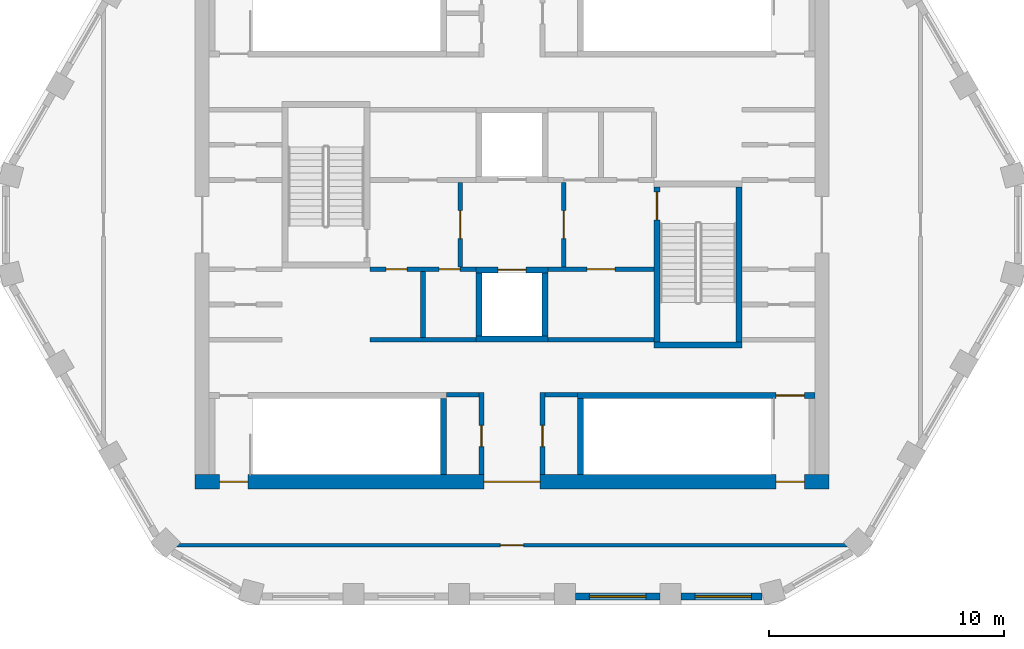
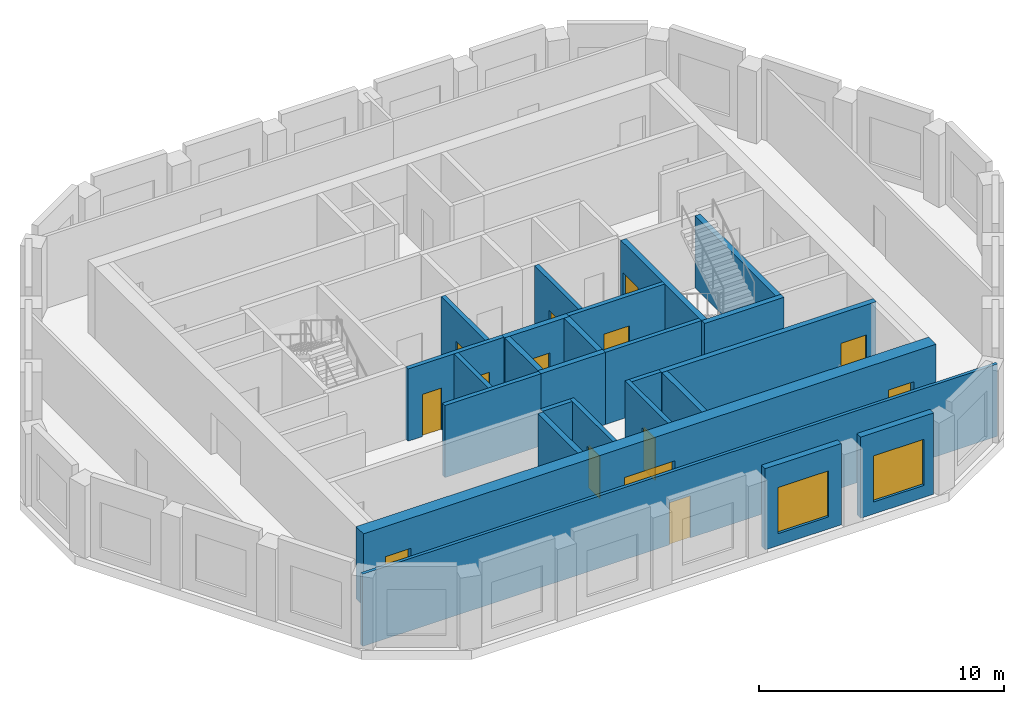
# One storey, part 2 of 6: 25 walls, 14 doors, 2 windows, 16 openings.
"""IFC4 building model written with IfcOpenShell, lengths in metres."""

from ifc_helpers import new_model, si_unit, direction, frame, frame_2d, origin, place, context, subcontext, project, spatial, polyline, rectangle, outline, extrude, material, layer, layer_set, type_object, element, fill, save


model = new_model("IFC4")

# Units and contexts
model_context = context("Model", 3, precision=1e-05, world=origin(), true_north=direction((0.0, 1.0)))
body_context = subcontext(model_context, "Body", "Model", "MODEL_VIEW")
ifc_project = project(units=[si_unit("LENGTHUNIT", "METRE"), si_unit("AREAUNIT", "SQUARE_METRE"), si_unit("VOLUMEUNIT", "CUBIC_METRE"), si_unit("PLANEANGLEUNIT", "RADIAN"), si_unit("MASSUNIT", "GRAM", prefix="KILO")], contexts=[model_context])

# Site, building, storey
site_placement = place(None, origin())
site = spatial("IfcSite", under=ifc_project, at=site_placement, CompositionType="ELEMENT")
building_placement = place(site_placement, origin())
building = spatial("IfcBuilding", under=site, at=building_placement, Name="Dhurran Vertical Campus", CompositionType="ELEMENT")
storey_placement = place(building_placement, frame((0.0, 0.0, 318.89990234375)))
storey = spatial("IfcBuildingStorey", under=building, at=storey_placement, Name="L78 Plant", CompositionType="ELEMENT", Elevation=318.89990234375)

# Wall, opening, window
ifc_material_1 = material(Name="Precast concrete C50/60", Category="concrete")
ifc_layer_1 = layer(ifc_material_1, 0.300048828125)
ifc_layer_set_1 = layer_set([ifc_layer_1], Name="Precast concrete C50/60")
wall_type_1 = type_object("IfcWallType", Name="Precast louvre-bay wall 300", PredefinedType="SOLIDWALL", material=ifc_layer_set_1)
wall_1_placement = place(storey_placement, frame((2.700439453125, -15.84130859375, 0.0), z_axis=(0.0, 0.0, 1.0), x_axis=(1.0, 0.0, 0.0)))
wall_1 = element("IfcWall", 1, at=wall_1_placement, inside=storey, type_object=wall_type_1, Name="EW3 L78.03", PredefinedType="SOLIDWALL", context=body_context, shape_type="SweptSolid", body=[
    extrude(rectangle(XDim=3.59912109375, YDim=0.300048828125, at=frame_2d((1.799560546875, 0.0))), origin(), (0.0, 0.0, 1.0), 4.050048828125),
])
opening_1_placement = place(wall_1_placement, frame((0.599609375, 0.0, 0.60009765625)))
opening_1 = element("IfcOpeningElement", 2, at=opening_1_placement, cuts=wall_1, Name="Opening WT4", PredefinedType="OPENING", context=body_context, shape_type="SweptSolid", body=[
    extrude(rectangle(XDim=2.39990234375, YDim=2.300048828125, at=frame_2d((1.199951171875, 1.14990234375))), frame((0.0, 0.159912109375, 0.0), z_axis=(0.0, -1.0, 0.0), x_axis=(1.0, 0.0, 0.0)), (0.0, 0.0, 1.0), 0.320068359375),
])
ifc_material_2 = material(Name="Aluminium louvre", Category="aluminium")
window_type = type_object("IfcWindowType", Name="Louvred plant vent 2400 x 2300", PartitioningType="SINGLE_PANEL", PredefinedType="WINDOW", material=ifc_material_2)
window_1_placement = place(opening_1_placement, origin())
window_1 = element("IfcWindow", 3, at=window_1_placement, inside=storey, type_object=window_type, Name="WT4 L78.03", OverallHeight=2.300048828125, OverallWidth=2.39990234375, PartitioningType="SINGLE_PANEL", PredefinedType="WINDOW", context=body_context, shape_type="SweptSolid", body=[
    extrude(rectangle(XDim=2.39990234375, YDim=2.300048828125, at=frame_2d((1.199951171875, 1.14990234375))), frame((0.0, 0.030029296875, 0.0), z_axis=(0.0, -1.0, 0.0), x_axis=(1.0, 0.0, 0.0)), (0.0, 0.0, 1.0), 0.06005859375),
])
fill(opening_1, window_1)

wall_2_placement = place(storey_placement, frame((7.200439453125, -15.84130859375, 0.0), z_axis=(0.0, 0.0, 1.0), x_axis=(1.0, 0.0, 0.0)))
wall_2 = element("IfcWall", 4, at=wall_2_placement, inside=storey, type_object=wall_type_1, Name="EW3 L78.04", PredefinedType="SOLIDWALL", context=body_context, shape_type="SweptSolid", body=[
    extrude(rectangle(XDim=3.449462890625, YDim=0.300048828125, at=frame_2d((1.724609375, 0.0))), origin(), (0.0, 0.0, 1.0), 4.050048828125),
])
opening_2_placement = place(wall_2_placement, frame((0.599609375, 0.0, 0.60009765625)))
opening_2 = element("IfcOpeningElement", 5, at=opening_2_placement, cuts=wall_2, Name="Opening WT4", PredefinedType="OPENING", context=body_context, shape_type="SweptSolid", body=[
    extrude(rectangle(XDim=2.39990234375, YDim=2.300048828125, at=frame_2d((1.199951171875, 1.14990234375))), frame((0.0, 0.159912109375, 0.0), z_axis=(0.0, -1.0, 0.0), x_axis=(1.0, 0.0, 0.0)), (0.0, 0.0, 1.0), 0.320068359375),
])
window_2_placement = place(opening_2_placement, origin())
window_2 = element("IfcWindow", 6, at=window_2_placement, inside=storey, type_object=window_type, Name="WT4 L78.04", OverallHeight=2.300048828125, OverallWidth=2.39990234375, PartitioningType="SINGLE_PANEL", PredefinedType="WINDOW", context=body_context, shape_type="SweptSolid", body=[
    extrude(rectangle(XDim=2.39990234375, YDim=2.300048828125, at=frame_2d((1.199951171875, 1.14990234375))), frame((0.0, 0.030029296875, 0.0), z_axis=(0.0, -1.0, 0.0), x_axis=(1.0, 0.0, 0.0)), (0.0, 0.0, 1.0), 0.06005859375),
])
fill(opening_2, window_2)

# Wall, openings, doors
ifc_material_3 = material(Name="Concrete C50/60", Category="concrete")
ifc_layer_2 = layer(ifc_material_3, 0.60009765625)
ifc_layer_set_2 = layer_set([ifc_layer_2], Name="Concrete C50/60")
wall_type_2 = type_object("IfcWallType", Name="co-CORE-WALL-C2-600", PredefinedType="SHEAR", material=ifc_layer_set_2)
wall_3_placement = place(storey_placement, frame((-13.5, -10.949951171875, 0.0), z_axis=(0.0, 0.0, 1.0), x_axis=(1.0, 0.0, 0.0)))
wall_3 = element("IfcWall", 7, at=wall_3_placement, inside=storey, type_object=wall_type_2, Name="Core wall S L78", PredefinedType="SHEAR", context=body_context, shape_type="SweptSolid", body=[
    extrude(rectangle(XDim=27.0, YDim=0.60009765625, at=frame_2d((13.5, 0.0))), origin(), (0.0, 0.0, 1.0), 3.60009765625),
])
opening_3_placement = place(wall_3_placement, frame((12.300048828125, 0.0, 0.0)))
opening_3 = element("IfcOpeningElement", 8, at=opening_3_placement, cuts=wall_3, Name="Opening CV2", PredefinedType="OPENING", context=body_context, shape_type="SweptSolid", body=[
    extrude(rectangle(XDim=2.39990234375, YDim=2.10009765625, at=frame_2d((1.199951171875, 1.050048828125))), frame((0.0, 0.31005859375, 0.0), z_axis=(0.0, -1.0, 0.0), x_axis=(1.0, 0.0, 0.0)), (0.0, 0.0, 1.0), 0.6201171875),
])
opening_4_placement = place(wall_3_placement, frame((1.050048828125, 0.0, 0.0)))
opening_4 = element("IfcOpeningElement", 9, at=opening_4_placement, cuts=wall_3, Name="Opening XD3", PredefinedType="OPENING", context=body_context, shape_type="SweptSolid", body=[
    extrude(rectangle(XDim=1.199951171875, YDim=2.10009765625, at=frame_2d((0.60009765625, 1.050048828125))), frame((0.0, 0.31005859375, 0.0), z_axis=(0.0, -1.0, 0.0), x_axis=(1.0, 0.0, 0.0)), (0.0, 0.0, 1.0), 0.6201171875),
])
opening_5_placement = place(wall_3_placement, frame((24.75, 0.0, 0.0)))
opening_5 = element("IfcOpeningElement", 10, at=opening_5_placement, cuts=wall_3, Name="Opening XD4", PredefinedType="OPENING", context=body_context, shape_type="SweptSolid", body=[
    extrude(rectangle(XDim=1.199951171875, YDim=2.10009765625, at=frame_2d((0.60009765625, 1.050048828125))), frame((0.0, 0.31005859375, 0.0), z_axis=(0.0, -1.0, 0.0), x_axis=(1.0, 0.0, 0.0)), (0.0, 0.0, 1.0), 0.6201171875),
])
ifc_material_4 = material(Name="Fire-rated glazed door set")
door_type_1 = type_object("IfcDoorType", Name="co-D-LOBBY 2400x2100", OperationType="DOUBLE_DOOR_DOUBLE_SWING", PredefinedType="DOOR", material=ifc_material_4)
door_1_placement = place(opening_3_placement, origin())
door_1 = element("IfcDoor", 11, at=door_1_placement, inside=storey, type_object=door_type_1, Name="Core vestibule door S L78", OperationType="DOUBLE_DOOR_DOUBLE_SWING", OverallHeight=2.10009765625, OverallWidth=2.39990234375, PredefinedType="DOOR", context=body_context, shape_type="SweptSolid", body=[
    extrude(rectangle(XDim=2.39990234375, YDim=2.10009765625, at=frame_2d((1.199951171875, 1.050048828125))), frame((0.0, 0.02490234375, 0.0), z_axis=(0.0, -1.0, 0.0), x_axis=(1.0, 0.0, 0.0)), (0.0, 0.0, 1.0), 0.050048828125),
])
fill(opening_3, door_1)
ifc_material_5 = material(Name="Fire-rated steel door set", Category="steel")
door_type_2 = type_object("IfcDoorType", Name="co-D-STAIR-EXIT 1200x2100", OperationType="SINGLE_SWING_RIGHT", PredefinedType="DOOR", material=ifc_material_5)
door_2_placement = place(opening_4_placement, origin())
door_2 = element("IfcDoor", 12, at=door_2_placement, inside=storey, type_object=door_type_2, Name="Stair ST3 exit door L78", OperationType="SINGLE_SWING_RIGHT", OverallHeight=2.10009765625, OverallWidth=1.199951171875, PredefinedType="DOOR", context=body_context, shape_type="SweptSolid", body=[
    extrude(rectangle(XDim=1.199951171875, YDim=2.10009765625, at=frame_2d((0.60009765625, 1.050048828125))), frame((0.0, 0.02490234375, 0.0), z_axis=(0.0, -1.0, 0.0), x_axis=(1.0, 0.0, 0.0)), (0.0, 0.0, 1.0), 0.050048828125),
])
fill(opening_4, door_2)
door_3_placement = place(opening_5_placement, origin())
door_3 = element("IfcDoor", 13, at=door_3_placement, inside=storey, type_object=door_type_2, Name="Stair ST4 exit door L78", OperationType="SINGLE_SWING_RIGHT", OverallHeight=2.10009765625, OverallWidth=1.199951171875, PredefinedType="DOOR", context=body_context, shape_type="SweptSolid", body=[
    extrude(rectangle(XDim=1.199951171875, YDim=2.10009765625, at=frame_2d((0.60009765625, 1.050048828125))), frame((0.0, 0.02490234375, 0.0), z_axis=(0.0, -1.0, 0.0), x_axis=(1.0, 0.0, 0.0)), (0.0, 0.0, 1.0), 0.050048828125),
])
fill(opening_5, door_3)

# Wall, opening, door
ifc_material_6 = material(Name="Fire-rated masonry blockwork", Category="masonry")
ifc_layer_3 = layer(ifc_material_6, 0.199951171875)
ifc_layer_set_3 = layer_set([ifc_layer_3], Name="Fire-rated masonry blockwork")
wall_type_3 = type_object("IfcWallType", Name="co-FIRE-PARTITION-200", PredefinedType="PARTITIONING", material=ifc_layer_set_3)
wall_4_placement = place(storey_placement, frame((-2.199951171875, -1.800048828125, 0.0), z_axis=(0.0, 0.0, 1.0), x_axis=(0.0, 1.0, 0.0)))
wall_4 = element("IfcWall", 14, at=wall_4_placement, inside=storey, type_object=wall_type_3, Name="Firefighting lobby wall W L78", PredefinedType="PARTITIONING", context=body_context, shape_type="SweptSolid", body=[
    extrude(rectangle(XDim=3.60009765625, YDim=0.199951171875, at=frame_2d((1.800048828125, 0.0))), origin(), (0.0, 0.0, 1.0), 3.60009765625),
])
opening_6_placement = place(wall_4_placement, frame((1.199951171875, 0.0, 0.0)))
opening_6 = element("IfcOpeningElement", 15, at=opening_6_placement, cuts=wall_4, Name="Opening FL1", PredefinedType="OPENING", context=body_context, shape_type="SweptSolid", body=[
    extrude(rectangle(XDim=1.199951171875, YDim=2.10009765625, at=frame_2d((0.60009765625, 1.050048828125))), frame((0.0, 0.10986328125, 0.0), z_axis=(0.0, -1.0, 0.0), x_axis=(1.0, 0.0, 0.0)), (0.0, 0.0, 1.0), 0.219970703125),
])
ifc_material_7 = material(Name="Fire-rated steel door set", Category="steel")
door_type_3 = type_object("IfcDoorType", Name="co-D-FFLOBBY 1200x2100", OperationType="SINGLE_SWING_LEFT", PredefinedType="DOOR", material=ifc_material_7)
door_4_placement = place(opening_6_placement, origin())
door_4 = element("IfcDoor", 16, at=door_4_placement, inside=storey, type_object=door_type_3, Name="Firefighting lobby door W L78", OperationType="SINGLE_SWING_LEFT", OverallHeight=2.10009765625, OverallWidth=1.199951171875, PredefinedType="DOOR", context=body_context, shape_type="SweptSolid", body=[
    extrude(rectangle(XDim=1.199951171875, YDim=2.10009765625, at=frame_2d((0.60009765625, 1.050048828125))), frame((0.0, 0.02490234375, 0.0), z_axis=(0.0, -1.0, 0.0), x_axis=(1.0, 0.0, 0.0)), (0.0, 0.0, 1.0), 0.050048828125),
])
fill(opening_6, door_4)

wall_5_placement = place(storey_placement, frame((2.199951171875, -1.800048828125, 0.0), z_axis=(0.0, 0.0, 1.0), x_axis=(0.0, 1.0, 0.0)))
wall_5 = element("IfcWall", 17, at=wall_5_placement, inside=storey, type_object=wall_type_3, Name="Firefighting lobby wall E L78", PredefinedType="PARTITIONING", context=body_context, shape_type="SweptSolid", body=[
    extrude(rectangle(XDim=3.60009765625, YDim=0.199951171875, at=frame_2d((1.800048828125, 0.0))), origin(), (0.0, 0.0, 1.0), 3.60009765625),
])
opening_7_placement = place(wall_5_placement, frame((1.199951171875, 0.0, 0.0)))
opening_7 = element("IfcOpeningElement", 18, at=opening_7_placement, cuts=wall_5, Name="Opening FL2", PredefinedType="OPENING", context=body_context, shape_type="SweptSolid", body=[
    extrude(rectangle(XDim=1.199951171875, YDim=2.10009765625, at=frame_2d((0.60009765625, 1.050048828125))), frame((0.0, 0.10986328125, 0.0), z_axis=(0.0, -1.0, 0.0), x_axis=(1.0, 0.0, 0.0)), (0.0, 0.0, 1.0), 0.219970703125),
])
door_5_placement = place(opening_7_placement, origin())
door_5 = element("IfcDoor", 19, at=door_5_placement, inside=storey, type_object=door_type_3, Name="Firefighting lobby door E L78", OperationType="SINGLE_SWING_LEFT", OverallHeight=2.10009765625, OverallWidth=1.199951171875, PredefinedType="DOOR", context=body_context, shape_type="SweptSolid", body=[
    extrude(rectangle(XDim=1.199951171875, YDim=2.10009765625, at=frame_2d((0.60009765625, 1.050048828125))), frame((0.0, 0.02490234375, 0.0), z_axis=(0.0, -1.0, 0.0), x_axis=(1.0, 0.0, 0.0)), (0.0, 0.0, 1.0), 0.050048828125),
])
fill(opening_7, door_5)

# Walls
for number, where, z_axis, x_axis, name in (
    (20, (-2.800048828125, -7.25, 0.0), (0.0, 0.0, 1.0), (1.0, 0.0, 0.0), "Core partition sl-SW-S L78"),
    (21, (1.39990234375, -7.25, 0.0), (0.0, 0.0, 1.0), (1.0, 0.0, 0.0), "Core partition sl-SE-S L78"),
):
    element("IfcWall", number, at=place(storey_placement, frame(where, z_axis=z_axis, x_axis=x_axis)), inside=storey, type_object=wall_type_3, Name=name, PredefinedType="PARTITIONING", context=body_context, shape_type="SweptSolid", body=[
        extrude(rectangle(XDim=1.400146484375, YDim=0.199951171875, at=frame_2d((0.7001953125, 0.0))), origin(), (0.0, 0.0, 1.0), 3.60009765625),
    ])

# Wall, opening, door
wall_6_placement = place(storey_placement, frame((-1.300048828125, -10.64990234375, 0.0), z_axis=(0.0, 0.0, 1.0), x_axis=(0.0, 1.0, 0.0)))
wall_6 = element("IfcWall", 22, at=wall_6_placement, inside=storey, type_object=wall_type_3, Name="Core partition vest-SW L78", PredefinedType="PARTITIONING", context=body_context, shape_type="SweptSolid", body=[
    extrude(rectangle(XDim=3.5, YDim=0.199951171875, at=frame_2d((1.75, 0.0))), origin(), (0.0, 0.0, 1.0), 3.60009765625),
])
opening_8_placement = place(wall_6_placement, frame((1.199951171875, 0.0, 0.0)))
opening_8 = element("IfcOpeningElement", 23, at=opening_8_placement, cuts=wall_6, Name="Opening CR78-C1", PredefinedType="OPENING", context=body_context, shape_type="SweptSolid", body=[
    extrude(rectangle(XDim=0.89990234375, YDim=2.10009765625, at=frame_2d((0.449951171875, 1.050048828125))), frame((0.0, 0.10986328125, 0.0), z_axis=(0.0, -1.0, 0.0), x_axis=(1.0, 0.0, 0.0)), (0.0, 0.0, 1.0), 0.219970703125),
])
ifc_material_8 = material(Name="Fire-rated timber door set", Category="wood")
door_type_4 = type_object("IfcDoorType", Name="co-D-ROOM 900x2100", OperationType="SINGLE_SWING_LEFT", PredefinedType="DOOR", material=ifc_material_8)
door_6_placement = place(opening_8_placement, origin())
door_6 = element("IfcDoor", 24, at=door_6_placement, inside=storey, type_object=door_type_4, Name="Pantry door L78", OperationType="SINGLE_SWING_LEFT", OverallHeight=2.10009765625, OverallWidth=0.89990234375, PredefinedType="DOOR", context=body_context, shape_type="SweptSolid", body=[
    extrude(rectangle(XDim=0.89990234375, YDim=2.10009765625, at=frame_2d((0.449951171875, 1.050048828125))), frame((0.0, 0.02490234375, 0.0), z_axis=(0.0, -1.0, 0.0), x_axis=(1.0, 0.0, 0.0)), (0.0, 0.0, 1.0), 0.050048828125),
])
fill(opening_8, door_6)

wall_7_placement = place(storey_placement, frame((1.300048828125, -10.64990234375, 0.0), z_axis=(0.0, 0.0, 1.0), x_axis=(0.0, 1.0, 0.0)))
wall_7 = element("IfcWall", 25, at=wall_7_placement, inside=storey, type_object=wall_type_3, Name="Core partition vest-SE L78", PredefinedType="PARTITIONING", context=body_context, shape_type="SweptSolid", body=[
    extrude(rectangle(XDim=3.5, YDim=0.199951171875, at=frame_2d((1.75, 0.0))), origin(), (0.0, 0.0, 1.0), 3.60009765625),
])
opening_9_placement = place(wall_7_placement, frame((1.199951171875, 0.0, 0.0)))
opening_9 = element("IfcOpeningElement", 26, at=opening_9_placement, cuts=wall_7, Name="Opening CR78-C2", PredefinedType="OPENING", context=body_context, shape_type="SweptSolid", body=[
    extrude(rectangle(XDim=0.89990234375, YDim=2.10009765625, at=frame_2d((0.449951171875, 1.050048828125))), frame((0.0, 0.10986328125, 0.0), z_axis=(0.0, -1.0, 0.0), x_axis=(1.0, 0.0, 0.0)), (0.0, 0.0, 1.0), 0.219970703125),
])
door_7_placement = place(opening_9_placement, origin())
door_7 = element("IfcDoor", 27, at=door_7_placement, inside=storey, type_object=door_type_4, Name="Server room door L78", OperationType="SINGLE_SWING_LEFT", OverallHeight=2.10009765625, OverallWidth=0.89990234375, PredefinedType="DOOR", context=body_context, shape_type="SweptSolid", body=[
    extrude(rectangle(XDim=0.89990234375, YDim=2.10009765625, at=frame_2d((0.449951171875, 1.050048828125))), frame((0.0, 0.02490234375, 0.0), z_axis=(0.0, -1.0, 0.0), x_axis=(1.0, 0.0, 0.0)), (0.0, 0.0, 1.0), 0.050048828125),
])
fill(opening_9, door_7)

# Wall
wall_8_placement = place(storey_placement, frame((-3.78759765625, -4.800048828125, 0.0), z_axis=(0.0, 0.0, 1.0), x_axis=(0.0, 1.0, 0.0)))
element("IfcWall", 28, at=wall_8_placement, inside=storey, type_object=wall_type_3, Name="Core partition fr-S1-cut0 L78", PredefinedType="PARTITIONING", context=body_context, shape_type="SweptSolid", body=[
    extrude(rectangle(XDim=2.800048828125, YDim=0.199951171875, at=frame_2d((1.39990234375, 0.0))), origin(), (0.0, 0.0, 1.0), 3.60009765625),
])

# Wall, openings, doors
wall_9_placement = place(storey_placement, frame((-6.050048828125, -1.89990234375, 0.0), z_axis=(0.0, 0.0, 1.0), x_axis=(1.0, 0.0, 0.0)))
wall_9 = element("IfcWall", 29, at=wall_9_placement, inside=storey, type_object=wall_type_3, Name="Core partition fr-S1-f L78", PredefinedType="PARTITIONING", context=body_context, shape_type="SweptSolid", body=[
    extrude(rectangle(XDim=4.525146484375, YDim=0.199951171875, at=frame_2d((2.2626953125, 0.0))), origin(), (0.0, 0.0, 1.0), 3.60009765625),
])
opening_10_placement = place(wall_9_placement, frame((0.681396484375, 0.0, 0.0)))
opening_10 = element("IfcOpeningElement", 30, at=opening_10_placement, cuts=wall_9, Name="Opening CR78-C15", PredefinedType="OPENING", context=body_context, shape_type="SweptSolid", body=[
    extrude(rectangle(XDim=0.89990234375, YDim=2.10009765625, at=frame_2d((0.449951171875, 1.050048828125))), frame((0.0, 0.10986328125, 0.0), z_axis=(0.0, -1.0, 0.0), x_axis=(1.0, 0.0, 0.0)), (0.0, 0.0, 1.0), 0.219970703125),
])
opening_11_placement = place(wall_9_placement, frame((2.94384765625, 0.0, 0.0)))
opening_11 = element("IfcOpeningElement", 31, at=opening_11_placement, cuts=wall_9, Name="Opening CR78-C16", PredefinedType="OPENING", context=body_context, shape_type="SweptSolid", body=[
    extrude(rectangle(XDim=0.89990234375, YDim=2.10009765625, at=frame_2d((0.449951171875, 1.050048828125))), frame((0.0, 0.10986328125, 0.0), z_axis=(0.0, -1.0, 0.0), x_axis=(1.0, 0.0, 0.0)), (0.0, 0.0, 1.0), 0.219970703125),
])
door_8_placement = place(opening_10_placement, origin())
door_8 = element("IfcDoor", 32, at=door_8_placement, inside=storey, type_object=door_type_4, Name="Pantry door L78", OperationType="SINGLE_SWING_LEFT", OverallHeight=2.10009765625, OverallWidth=0.89990234375, PredefinedType="DOOR", context=body_context, shape_type="SweptSolid", body=[
    extrude(rectangle(XDim=0.89990234375, YDim=2.10009765625, at=frame_2d((0.449951171875, 1.050048828125))), frame((0.0, 0.02490234375, 0.0), z_axis=(0.0, -1.0, 0.0), x_axis=(1.0, 0.0, 0.0)), (0.0, 0.0, 1.0), 0.050048828125),
])
fill(opening_10, door_8)
door_9_placement = place(opening_11_placement, origin())
door_9 = element("IfcDoor", 33, at=door_9_placement, inside=storey, type_object=door_type_4, Name="Plant room door L78", OperationType="SINGLE_SWING_LEFT", OverallHeight=2.10009765625, OverallWidth=0.89990234375, PredefinedType="DOOR", context=body_context, shape_type="SweptSolid", body=[
    extrude(rectangle(XDim=0.89990234375, YDim=2.10009765625, at=frame_2d((0.449951171875, 1.050048828125))), frame((0.0, 0.02490234375, 0.0), z_axis=(0.0, -1.0, 0.0), x_axis=(1.0, 0.0, 0.0)), (0.0, 0.0, 1.0), 0.050048828125),
])
fill(opening_11, door_9)

# Wall
wall_10_placement = place(storey_placement, frame((-6.050048828125, -4.89990234375, 0.0), z_axis=(0.0, 0.0, 1.0), x_axis=(1.0, 0.0, 0.0)))
element("IfcWall", 34, at=wall_10_placement, inside=storey, type_object=wall_type_3, Name="Core partition fr-S1-b L78", PredefinedType="PARTITIONING", context=body_context, shape_type="SweptSolid", body=[
    extrude(rectangle(XDim=4.525146484375, YDim=0.199951171875, at=frame_2d((2.2626953125, 0.0))), origin(), (0.0, 0.0, 1.0), 3.60009765625),
])

# Wall, opening, door
wall_11_placement = place(storey_placement, frame((1.52490234375, -1.89990234375, 0.0), z_axis=(0.0, 0.0, 1.0), x_axis=(1.0, 0.0, 0.0)))
wall_11 = element("IfcWall", 35, at=wall_11_placement, inside=storey, type_object=wall_type_3, Name="Core partition fr-S2-f L78", PredefinedType="PARTITIONING", context=body_context, shape_type="SweptSolid", body=[
    extrude(rectangle(XDim=4.525146484375, YDim=0.199951171875, at=frame_2d((2.2626953125, 0.0))), origin(), (0.0, 0.0, 1.0), 3.60009765625),
])
opening_12_placement = place(wall_11_placement, frame((1.66259765625, 0.0, 0.0)))
opening_12 = element("IfcOpeningElement", 36, at=opening_12_placement, cuts=wall_11, Name="Opening CR78-C17", PredefinedType="OPENING", context=body_context, shape_type="SweptSolid", body=[
    extrude(rectangle(XDim=1.199951171875, YDim=2.10009765625, at=frame_2d((0.60009765625, 1.050048828125))), frame((0.0, 0.10986328125, 0.0), z_axis=(0.0, -1.0, 0.0), x_axis=(1.0, 0.0, 0.0)), (0.0, 0.0, 1.0), 0.219970703125),
])
ifc_material_9 = material(Name="Fire-rated steel door set", Category="steel")
door_type_5 = type_object("IfcDoorType", Name="co-D-ROOM-PASSAGE 1200x2100", OperationType="SINGLE_SWING_RIGHT", PredefinedType="DOOR", material=ifc_material_9)
door_10_placement = place(opening_12_placement, origin())
door_10 = element("IfcDoor", 37, at=door_10_placement, inside=storey, type_object=door_type_5, Name="Server room door L78", OperationType="SINGLE_SWING_RIGHT", OverallHeight=2.10009765625, OverallWidth=1.199951171875, PredefinedType="DOOR", context=body_context, shape_type="SweptSolid", body=[
    extrude(rectangle(XDim=1.199951171875, YDim=2.10009765625, at=frame_2d((0.60009765625, 1.050048828125))), frame((0.0, 0.02490234375, 0.0), z_axis=(0.0, -1.0, 0.0), x_axis=(1.0, 0.0, 0.0)), (0.0, 0.0, 1.0), 0.050048828125),
])
fill(opening_12, door_10)

# Wall
wall_12_placement = place(storey_placement, frame((1.52490234375, -4.89990234375, 0.0), z_axis=(0.0, 0.0, 1.0), x_axis=(1.0, 0.0, 0.0)))
element("IfcWall", 38, at=wall_12_placement, inside=storey, type_object=wall_type_3, Name="Core partition fr-S2-b L78", PredefinedType="PARTITIONING", context=body_context, shape_type="SweptSolid", body=[
    extrude(rectangle(XDim=4.525146484375, YDim=0.199951171875, at=frame_2d((2.2626953125, 0.0))), origin(), (0.0, 0.0, 1.0), 3.60009765625),
])

# Wall, opening, door
ifc_material_10 = material(Name="Concrete C50/60", Category="concrete")
ifc_layer_4 = layer(ifc_material_10, 0.25)
ifc_layer_set_4 = layer_set([ifc_layer_4], Name="Concrete C50/60")
wall_type_4 = type_object("IfcWallType", Name="co-SHAFT-FRONT-250", PredefinedType="SHEAR", material=ifc_layer_set_4)
wall_13_placement = place(storey_placement, frame((-1.52490234375, -1.925048828125, 0.0), z_axis=(0.0, 0.0, 1.0), x_axis=(1.0, 0.0, 0.0)))
wall_13 = element("IfcWall", 39, at=wall_13_placement, inside=storey, type_object=wall_type_4, Name="Lift landing wall S L78", PredefinedType="SHEAR", context=body_context, shape_type="SweptSolid", body=[
    extrude(rectangle(XDim=3.0498046875, YDim=0.25, at=frame_2d((1.52490234375, 0.0))), origin(), (0.0, 0.0, 1.0), 3.60009765625),
])
opening_13_placement = place(wall_13_placement, frame((0.925048828125, 0.0, 0.0)))
opening_13 = element("IfcOpeningElement", 40, at=opening_13_placement, cuts=wall_13, Name="Opening LD", PredefinedType="OPENING", context=body_context, shape_type="SweptSolid", body=[
    extrude(rectangle(XDim=1.199951171875, YDim=2.10009765625, at=frame_2d((0.60009765625, 1.050048828125))), frame((0.0, 0.135009765625, 0.0), z_axis=(0.0, -1.0, 0.0), x_axis=(1.0, 0.0, 0.0)), (0.0, 0.0, 1.0), 0.27001953125),
])
ifc_material_11 = material(Name="Stainless steel landing door", Category="steel")
door_type_6 = type_object("IfcDoorType", Name="co-D-LANDING 1200x2100", OperationType="DOUBLE_DOOR_SLIDING", PredefinedType="DOOR", material=ifc_material_11)
door_11_placement = place(opening_13_placement, origin())
door_11 = element("IfcDoor", 41, at=door_11_placement, inside=storey, type_object=door_type_6, Name="Landing door FF2 L78", OperationType="DOUBLE_DOOR_SLIDING", OverallHeight=2.10009765625, OverallWidth=1.199951171875, PredefinedType="DOOR", context=body_context, shape_type="SweptSolid", body=[
    extrude(rectangle(XDim=1.199951171875, YDim=2.10009765625, at=frame_2d((0.60009765625, 1.050048828125))), frame((0.0, 0.02490234375, 0.0), z_axis=(0.0, -1.0, 0.0), x_axis=(1.0, 0.0, 0.0)), (0.0, 0.0, 1.0), 0.050048828125),
])
fill(opening_13, door_11)

# Walls
ifc_material_12 = material(Name="Concrete C50/60", Category="concrete")
ifc_layer_5 = layer(ifc_material_12, 0.25)
ifc_layer_set_5 = layer_set([ifc_layer_5], Name="Concrete C50/60")
wall_type_5 = type_object("IfcWallType", Name="co-SHAFT-MASS-250", PredefinedType="SHEAR", material=ifc_layer_set_5)
wall_14_placement = place(storey_placement, origin())
element("IfcWall", 42, at=wall_14_placement, inside=storey, type_object=wall_type_5, Name="Lift shaft wall S L78 1", PredefinedType="SHEAR", context=body_context, shape_type="SweptSolid", body=[
    extrude(outline(polyline([(-1.52490234375, -5.0), (1.52490234375, -5.0), (1.52490234375, -4.75), (-1.52490234375, -4.75), (-1.52490234375, -5.0)])), origin(), (0.0, 0.0, 1.0), 3.60009765625),
])
wall_15_placement = place(storey_placement, origin())
element("IfcWall", 43, at=wall_15_placement, inside=storey, type_object=wall_type_5, Name="Lift shaft wall S L78 2", PredefinedType="SHEAR", context=body_context, shape_type="SweptSolid", body=[
    extrude(outline(polyline([(-1.52490234375, -4.75), (-1.27490234375, -4.75), (-1.27490234375, -2.050048828125), (-1.52490234375, -2.050048828125), (-1.52490234375, -4.75)])), origin(), (0.0, 0.0, 1.0), 3.60009765625),
])
wall_16_placement = place(storey_placement, origin())
element("IfcWall", 44, at=wall_16_placement, inside=storey, type_object=wall_type_5, Name="Lift shaft wall S L78 3", PredefinedType="SHEAR", context=body_context, shape_type="SweptSolid", body=[
    extrude(outline(polyline([(1.27490234375, -4.75), (1.52490234375, -4.75), (1.52490234375, -2.050048828125), (1.27490234375, -2.050048828125), (1.27490234375, -4.75)])), origin(), (0.0, 0.0, 1.0), 3.60009765625),
])
ifc_material_13 = material(Name="Concrete C40/50", Category="concrete")
ifc_layer_6 = layer(ifc_material_13, 0.25)
ifc_layer_set_6 = layer_set([ifc_layer_6], Name="Concrete C40/50")
wall_type_6 = type_object("IfcWallType", Name="co-STAIR-WALL-250", PredefinedType="SHEAR", material=ifc_layer_set_6)
wall_17_placement = place(storey_placement, frame((-2.925048828125, -10.64990234375, 0.0), z_axis=(0.0, 0.0, 1.0), x_axis=(0.0, 1.0, 0.0)))
element("IfcWall", 45, at=wall_17_placement, inside=storey, type_object=wall_type_6, Name="Stair ST3 enclosure wall L78", PredefinedType="SHEAR", context=body_context, shape_type="SweptSolid", body=[
    extrude(rectangle(XDim=3.25, YDim=0.25, at=frame_2d((1.625, 0.0))), origin(), (0.0, 0.0, 1.0), 3.60009765625),
])

# Wall, opening, door
wall_18_placement = place(storey_placement, frame((2.800048828125, -7.27490234375, 0.0), z_axis=(0.0, 0.0, 1.0), x_axis=(1.0, 0.0, 0.0)))
wall_18 = element("IfcWall", 46, at=wall_18_placement, inside=storey, type_object=wall_type_6, Name="Stair ST4 enclosure wall L78", PredefinedType="SHEAR", context=body_context, shape_type="SweptSolid", body=[
    extrude(rectangle(XDim=10.099853515625, YDim=0.25, at=frame_2d((5.0498046875, 0.0))), origin(), (0.0, 0.0, 1.0), 3.60009765625),
])
opening_14_placement = place(wall_18_placement, frame((8.449951171875, 0.0, 0.0)))
opening_14 = element("IfcOpeningElement", 47, at=opening_14_placement, cuts=wall_18, Name="Opening SD4", PredefinedType="OPENING", context=body_context, shape_type="SweptSolid", body=[
    extrude(rectangle(XDim=1.199951171875, YDim=2.10009765625, at=frame_2d((0.60009765625, 1.050048828125))), frame((0.0, 0.135009765625, 0.0), z_axis=(0.0, -1.0, 0.0), x_axis=(1.0, 0.0, 0.0)), (0.0, 0.0, 1.0), 0.27001953125),
])
ifc_material_14 = material(Name="Fire-rated steel door set", Category="steel")
door_type_7 = type_object("IfcDoorType", Name="co-D-STAIR 1200x2100", OperationType="SINGLE_SWING_LEFT", PredefinedType="DOOR", material=ifc_material_14)
door_12_placement = place(opening_14_placement, origin())
door_12 = element("IfcDoor", 48, at=door_12_placement, inside=storey, type_object=door_type_7, Name="Stair ST4 door L78", OperationType="SINGLE_SWING_LEFT", OverallHeight=2.10009765625, OverallWidth=1.199951171875, PredefinedType="DOOR", context=body_context, shape_type="SweptSolid", body=[
    extrude(rectangle(XDim=1.199951171875, YDim=2.10009765625, at=frame_2d((0.60009765625, 1.050048828125))), frame((0.0, 0.02490234375, 0.0), z_axis=(0.0, -1.0, 0.0), x_axis=(1.0, 0.0, 0.0)), (0.0, 0.0, 1.0), 0.050048828125),
])
fill(opening_14, door_12)

# Walls
wall_19_placement = place(storey_placement, frame((2.925048828125, -10.64990234375, 0.0), z_axis=(0.0, 0.0, 1.0), x_axis=(0.0, 1.0, 0.0)))
element("IfcWall", 49, at=wall_19_placement, inside=storey, type_object=wall_type_6, Name="Stair ST4 enclosure wall L78", PredefinedType="SHEAR", context=body_context, shape_type="SweptSolid", body=[
    extrude(rectangle(XDim=3.25, YDim=0.25, at=frame_2d((1.625, 0.0))), origin(), (0.0, 0.0, 1.0), 3.60009765625),
])
wall_20_placement = place(storey_placement, frame((6.050048828125, -5.125, 0.0), z_axis=(0.0, 0.0, 1.0), x_axis=(1.0, 0.0, 0.0)))
element("IfcWall", 50, at=wall_20_placement, inside=storey, type_object=wall_type_6, Name="Stair ST6 enclosure wall L78", PredefinedType="SHEAR", context=body_context, shape_type="SweptSolid", body=[
    extrude(rectangle(XDim=3.75, YDim=0.25, at=frame_2d((1.875, 0.0))), origin(), (0.0, 0.0, 1.0), 3.60009765625),
])

# Wall, opening, door
wall_21_placement = place(storey_placement, frame((6.175048828125, -5.0, 0.0), z_axis=(0.0, 0.0, 1.0), x_axis=(0.0, 1.0, 0.0)))
wall_21 = element("IfcWall", 51, at=wall_21_placement, inside=storey, type_object=wall_type_6, Name="Stair ST6 enclosure wall L78", PredefinedType="SHEAR", context=body_context, shape_type="SweptSolid", body=[
    extrude(rectangle(XDim=6.60009765625, YDim=0.25, at=frame_2d((3.300048828125, 0.0))), origin(), (0.0, 0.0, 1.0), 3.60009765625),
])
opening_15_placement = place(wall_21_placement, frame((5.199951171875, 0.0, 0.0)))
opening_15 = element("IfcOpeningElement", 52, at=opening_15_placement, cuts=wall_21, Name="Opening SD6", PredefinedType="OPENING", context=body_context, shape_type="SweptSolid", body=[
    extrude(rectangle(XDim=1.199951171875, YDim=2.10009765625, at=frame_2d((0.60009765625, 1.050048828125))), frame((0.0, 0.135009765625, 0.0), z_axis=(0.0, -1.0, 0.0), x_axis=(1.0, 0.0, 0.0)), (0.0, 0.0, 1.0), 0.27001953125),
])
door_13_placement = place(opening_15_placement, origin())
door_13 = element("IfcDoor", 53, at=door_13_placement, inside=storey, type_object=door_type_7, Name="Stair ST6 door L78", OperationType="SINGLE_SWING_LEFT", OverallHeight=2.10009765625, OverallWidth=1.199951171875, PredefinedType="DOOR", context=body_context, shape_type="SweptSolid", body=[
    extrude(rectangle(XDim=1.199951171875, YDim=2.10009765625, at=frame_2d((0.60009765625, 1.050048828125))), frame((0.0, 0.02490234375, 0.0), z_axis=(0.0, -1.0, 0.0), x_axis=(1.0, 0.0, 0.0)), (0.0, 0.0, 1.0), 0.050048828125),
])
fill(opening_15, door_13)

# Wall
wall_22_placement = place(storey_placement, frame((9.675048828125, -5.0, 0.0), z_axis=(0.0, 0.0, 1.0), x_axis=(0.0, 1.0, 0.0)))
element("IfcWall", 54, at=wall_22_placement, inside=storey, type_object=wall_type_6, Name="Stair ST6 enclosure wall L78", PredefinedType="SHEAR", context=body_context, shape_type="SweptSolid", body=[
    extrude(rectangle(XDim=6.60009765625, YDim=0.25, at=frame_2d((3.300048828125, 0.0))), origin(), (0.0, 0.0, 1.0), 3.60009765625),
])

# Wall, opening, door
ifc_material_15 = material(Name="Gypsum board corridor wall on steel studs", Category="steel")
ifc_layer_7 = layer(ifc_material_15, 0.14990234375)
ifc_layer_set_7 = layer_set([ifc_layer_7], Name="Gypsum board corridor wall on steel studs")
wall_type_7 = type_object("IfcWallType", Name="fl-CW-150 corridor wall", PredefinedType="PARTITIONING", material=ifc_layer_set_7)
wall_23_placement = place(storey_placement, frame((-14.968994140625, -13.64990234375, 0.0), z_axis=(0.0, 0.0, 1.0), x_axis=(1.0, 0.0, 0.0)))
wall_23 = element("IfcWall", 55, at=wall_23_placement, inside=storey, type_object=wall_type_7, Name="Partition 78-02", PredefinedType="PARTITIONING", context=body_context, shape_type="SweptSolid", body=[
    extrude(rectangle(XDim=29.93798828125, YDim=0.14990234375, at=frame_2d((14.968994140625, 0.0))), origin(), (0.0, 0.0, 1.0), 3.60009765625),
])
opening_16_placement = place(wall_23_placement, frame((14.468994140625, 0.0, 0.0)))
opening_16 = element("IfcOpeningElement", 56, at=opening_16_placement, cuts=wall_23, Name="Opening CR78.03", PredefinedType="OPENING", context=body_context, shape_type="SweptSolid", body=[
    extrude(rectangle(XDim=1.0, YDim=2.10009765625, at=frame_2d((0.5, 1.050048828125))), frame((0.0, 0.0849609375, 0.0), z_axis=(0.0, -1.0, 0.0), x_axis=(1.0, 0.0, 0.0)), (0.0, 0.0, 1.0), 0.169921875),
])
ifc_material_16 = material(Name="Solid-core timber door set, fire-rated", Category="wood")
door_type_8 = type_object("IfcDoorType", Name="fl-D-1000x2100", OperationType="SINGLE_SWING_LEFT", PredefinedType="DOOR", material=ifc_material_16)
door_14_placement = place(opening_16_placement, origin())
door_14 = element("IfcDoor", 57, at=door_14_placement, inside=storey, type_object=door_type_8, Name="Door 78.03", OperationType="SINGLE_SWING_LEFT", OverallHeight=2.10009765625, OverallWidth=1.0, PredefinedType="DOOR", context=body_context, shape_type="SweptSolid", body=[
    extrude(rectangle(XDim=1.0, YDim=2.10009765625, at=frame_2d((0.5, 1.050048828125))), frame((0.0, 0.02490234375, 0.0), z_axis=(0.0, -1.0, 0.0), x_axis=(1.0, 0.0, 0.0)), (0.0, 0.0, 1.0), 0.050048828125),
])
fill(opening_16, door_14)

save(model, "model.ifc")
